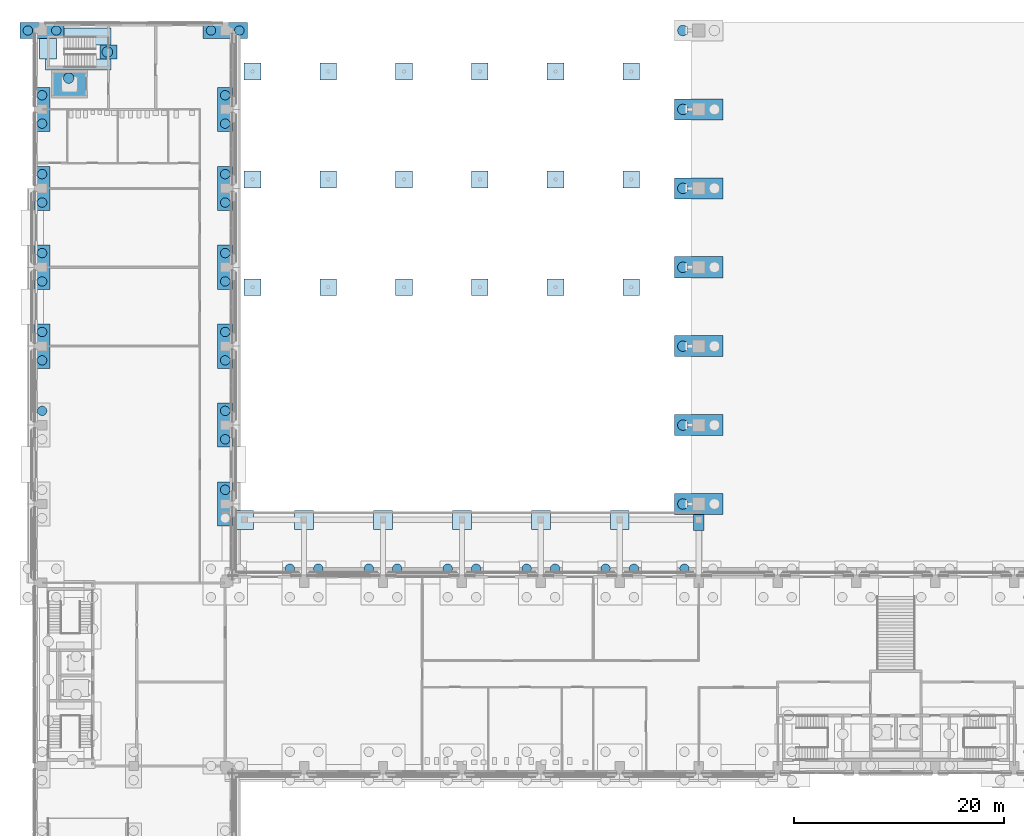
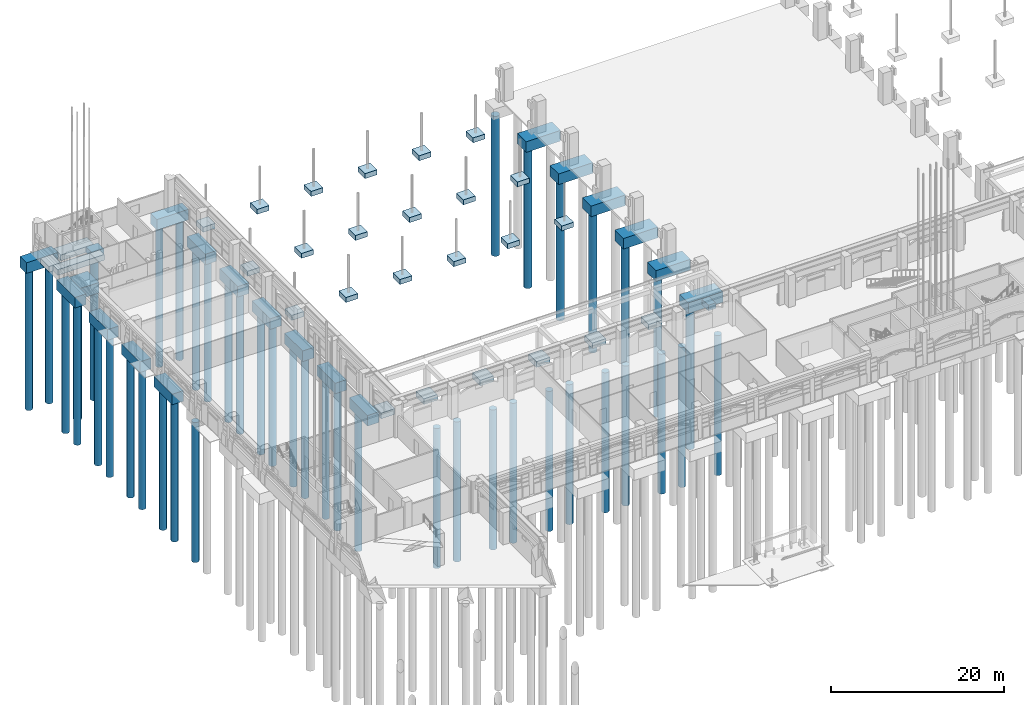
# One storey, part 3 of 99: 48 footings, 44 piles.
"""IFC4 building model written with IfcOpenShell, lengths in metres."""

from ifc_helpers import new_model, si_unit, direction, frame, origin, origin_2d, place, context, subcontext, project, spatial, polyline, circle, outline, extrude, material, layer, layer_set, material_profile, profile_set, type_object, element, save


model = new_model("IFC4")

# Units and contexts
model_context = context("Model", 3, precision=1e-05, world=origin(), true_north=direction((0.0, 1.0)))
body_context = subcontext(model_context, "Body", "Model", "MODEL_VIEW")
ifc_project = project(units=[si_unit("LENGTHUNIT", "METRE"), si_unit("AREAUNIT", "SQUARE_METRE"), si_unit("VOLUMEUNIT", "CUBIC_METRE"), si_unit("PLANEANGLEUNIT", "RADIAN"), si_unit("MASSUNIT", "GRAM", prefix="KILO")], contexts=[model_context])

# Site, building, storey
site_placement = place(None, origin())
site = spatial("IfcSite", under=ifc_project, at=site_placement, CompositionType="ELEMENT")
building_placement = place(site_placement, origin())
building = spatial("IfcBuilding", under=site, at=building_placement, Name="Cour d'Honneur Mobility Palace", CompositionType="ELEMENT")
storey_placement = place(building_placement, origin())
storey = spatial("IfcBuildingStorey", under=building, at=storey_placement, Name="L00", CompositionType="ELEMENT", Elevation=0.0)

# Footings
ifc_material_1 = material(Name="Concrete C50", Category="concrete")
ifc_layer_1 = layer(ifc_material_1, 0.800048828125)
ifc_layer_set_1 = layer_set([ifc_layer_1], Name="Concrete C50")
footing_type_1 = type_object("IfcFootingType", Name="Arcade pad footing 1000x800", PredefinedType="PAD_FOOTING", material=ifc_layer_set_1)
footing_1_placement = place(storey_placement, frame((0.0, 0.0, -1.10009765625)))
element("IfcFooting", 1, at=footing_1_placement, inside=storey, type_object=footing_type_1, Name="Arcade pad footing AF-W7", PredefinedType="PAD_FOOTING", context=body_context, shape_type="SweptSolid", body=[
    extrude(outline(polyline([(61.89990234375, 67.39990234375), (62.89990234375, 67.39990234375), (62.89990234375, 68.89990234375), (61.89990234375, 68.89990234375), (61.89990234375, 67.39990234375)])), origin(), (0.0, 0.0, 1.0), 0.800048828125),
])
ifc_material_2 = material(Name="Concrete C50", Category="concrete")
ifc_layer_2 = layer(ifc_material_2, 0.800048828125)
ifc_layer_set_2 = layer_set([ifc_layer_2], Name="Concrete C50")
footing_type_2 = type_object("IfcFootingType", Name="Arcade pad footing 1800x800", PredefinedType="PAD_FOOTING", material=ifc_layer_set_2)
footing_2_placement = place(storey_placement, frame((0.0, 0.0, -1.10009765625)))
element("IfcFooting", 2, at=footing_2_placement, inside=storey, type_object=footing_type_2, Name="Arcade pad footing AF-W1", PredefinedType="PAD_FOOTING", context=body_context, shape_type="SweptSolid", body=[
    extrude(outline(polyline([(18.300048828125, 67.5), (20.10009765625, 67.5), (20.10009765625, 69.300048828125), (18.300048828125, 69.300048828125), (18.300048828125, 67.5)])), origin(), (0.0, 0.0, 1.0), 0.800048828125),
])
footing_3_placement = place(storey_placement, frame((0.0, 0.0, -1.10009765625)))
element("IfcFooting", 3, at=footing_3_placement, inside=storey, type_object=footing_type_2, Name="Arcade pad footing AF-W2", PredefinedType="PAD_FOOTING", context=body_context, shape_type="SweptSolid", body=[
    extrude(outline(polyline([(24.0, 67.5), (25.800048828125, 67.5), (25.800048828125, 69.300048828125), (24.0, 69.300048828125), (24.0, 67.5)])), origin(), (0.0, 0.0, 1.0), 0.800048828125),
])
footing_4_placement = place(storey_placement, frame((0.0, 0.0, -1.10009765625)))
element("IfcFooting", 4, at=footing_4_placement, inside=storey, type_object=footing_type_2, Name="Arcade pad footing AF-W3", PredefinedType="PAD_FOOTING", context=body_context, shape_type="SweptSolid", body=[
    extrude(outline(polyline([(31.5, 67.5), (33.300048828125, 67.5), (33.300048828125, 69.300048828125), (31.5, 69.300048828125), (31.5, 67.5)])), origin(), (0.0, 0.0, 1.0), 0.800048828125),
])
footing_5_placement = place(storey_placement, frame((0.0, 0.0, -1.10009765625)))
element("IfcFooting", 5, at=footing_5_placement, inside=storey, type_object=footing_type_2, Name="Arcade pad footing AF-W4", PredefinedType="PAD_FOOTING", context=body_context, shape_type="SweptSolid", body=[
    extrude(outline(polyline([(39.0, 67.5), (40.800048828125, 67.5), (40.800048828125, 69.300048828125), (39.0, 69.300048828125), (39.0, 67.5)])), origin(), (0.0, 0.0, 1.0), 0.800048828125),
])
footing_6_placement = place(storey_placement, frame((0.0, 0.0, -1.10009765625)))
element("IfcFooting", 6, at=footing_6_placement, inside=storey, type_object=footing_type_2, Name="Arcade pad footing AF-W5", PredefinedType="PAD_FOOTING", context=body_context, shape_type="SweptSolid", body=[
    extrude(outline(polyline([(46.5, 67.5), (48.300048828125, 67.5), (48.300048828125, 69.300048828125), (46.5, 69.300048828125), (46.5, 67.5)])), origin(), (0.0, 0.0, 1.0), 0.800048828125),
])
footing_7_placement = place(storey_placement, frame((0.0, 0.0, -1.10009765625)))
element("IfcFooting", 7, at=footing_7_placement, inside=storey, type_object=footing_type_2, Name="Arcade pad footing AF-W6", PredefinedType="PAD_FOOTING", context=body_context, shape_type="SweptSolid", body=[
    extrude(outline(polyline([(54.0, 67.5), (55.800048828125, 67.5), (55.800048828125, 69.300048828125), (54.0, 69.300048828125), (54.0, 67.5)])), origin(), (0.0, 0.0, 1.0), 0.800048828125),
])

# Piles
ifc_material_3 = material(Name="Concrete C40", Category="concrete")
ifc_material_profile_1 = material_profile(ifc_material_3, circle(Radius=0.5, at=origin_2d()), Name="Bored pile D1000")
ifc_profile_set_1 = profile_set([ifc_material_profile_1], Name="Concrete C40")
pile_type_1 = type_object("IfcPileType", Name="Bored pile D1000", PredefinedType="BORED", material=ifc_profile_set_1)
pile_1_placement = place(storey_placement, frame((2.52490234375, 110.375, -3.300048828125), z_axis=(0.0, 0.0, -1.0), x_axis=(1.0, 0.0, 0.0)))
element("IfcPile", 8, at=pile_1_placement, inside=storey, type_object=pile_type_1, Name="Bored pile NW.L.1", PredefinedType="BORED", context=body_context, shape_type="SweptSolid", body=[
    extrude(circle(Radius=0.5, at=origin_2d()), origin(), (0.0, 0.0, 1.0), 18.199951171875),
])
for number, where, z_axis, x_axis, name in (
    (9, (60.89990234375, 69.89990234375, -1.75), (0.0, 0.0, -1.0), (1.0, 0.0, 0.0), "Bored pile P.62.4/69.9.1"),
    (10, (60.89990234375, 77.39990234375, -1.75), (0.0, 0.0, -1.0), (1.0, 0.0, 0.0), "Bored pile P.62.4/77.4.1"),
    (11, (60.89990234375, 84.89990234375, -1.75), (0.0, 0.0, -1.0), (1.0, 0.0, 0.0), "Bored pile P.62.4/84.9.1"),
    (12, (60.89990234375, 92.39990234375, -1.75), (0.0, 0.0, -1.0), (1.0, 0.0, 0.0), "Bored pile P.62.4/92.4.1"),
    (13, (60.89990234375, 99.89990234375, -1.75), (0.0, 0.0, -1.0), (1.0, 0.0, 0.0), "Bored pile P.62.4/99.9.1"),
    (14, (60.89990234375, 107.39990234375, -1.75), (0.0, 0.0, -1.0), (1.0, 0.0, 0.0), "Bored pile P.62.4/107.4.1"),
    (15, (60.89990234375, 114.89990234375, -1.75), (0.0, 0.0, -1.0), (1.0, 0.0, 0.0), "Bored pile P.62.4/114.9.1"),
):
    element("IfcPile", number, at=place(storey_placement, frame(where, z_axis=z_axis, x_axis=x_axis)), inside=storey, type_object=pile_type_1, Name=name, PredefinedType="BORED", context=body_context, shape_type="SweptSolid", body=[
        extrude(circle(Radius=0.5, at=origin_2d()), origin(), (0.0, 0.0, 1.0), 19.75),
    ])
pile_2_placement = place(storey_placement, frame((6.199951171875, 112.862548828125, -1.050048828125), z_axis=(0.0, 0.0, -1.0), x_axis=(1.0, 0.0, 0.0)))
element("IfcPile", 16, at=pile_2_placement, inside=storey, type_object=pile_type_1, Name="Bored pile S042.1", PredefinedType="BORED", context=body_context, shape_type="SweptSolid", body=[
    extrude(circle(Radius=0.5, at=origin_2d()), origin(), (0.0, 0.0, 1.0), 20.449951171875),
])
ifc_material_4 = material(Name="Concrete C40", Category="concrete")
ifc_material_profile_2 = material_profile(ifc_material_4, circle(Radius=0.449951171875, at=origin_2d()), Name="Bored pile D900")
ifc_profile_set_2 = profile_set([ifc_material_profile_2], Name="Concrete C40")
pile_type_2 = type_object("IfcPileType", Name="Bored pile D900", PredefinedType="BORED", material=ifc_profile_set_2)
for number, where, z_axis, x_axis, name in (
    (17, (23.550048828125, 63.75, -1.75), (0.0, 0.0, -1.0), (1.0, 0.0, 0.0), "Bored pile L00.3/H.3"),
    (18, (26.25, 63.75, -1.75), (0.0, 0.0, -1.0), (1.0, 0.0, 0.0), "Bored pile L00.3/H.4"),
    (19, (31.050048828125, 63.75, -1.75), (0.0, 0.0, -1.0), (1.0, 0.0, 0.0), "Bored pile L00.4/H.3"),
    (20, (33.75, 63.75, -1.75), (0.0, 0.0, -1.0), (1.0, 0.0, 0.0), "Bored pile L00.4/H.4"),
    (21, (38.550048828125, 63.75, -1.75), (0.0, 0.0, -1.0), (1.0, 0.0, 0.0), "Bored pile L00.5/H.3"),
    (22, (41.25, 63.75, -1.75), (0.0, 0.0, -1.0), (1.0, 0.0, 0.0), "Bored pile L00.5/H.4"),
    (23, (46.050048828125, 63.75, -1.75), (0.0, 0.0, -1.0), (1.0, 0.0, 0.0), "Bored pile L00.6/H.3"),
    (24, (48.75, 63.75, -1.75), (0.0, 0.0, -1.0), (1.0, 0.0, 0.0), "Bored pile L00.6/H.4"),
    (25, (53.550048828125, 63.75, -1.75), (0.0, 0.0, -1.0), (1.0, 0.0, 0.0), "Bored pile L00.7/H.3"),
    (26, (56.25, 63.75, -1.75), (0.0, 0.0, -1.0), (1.0, 0.0, 0.0), "Bored pile L00.7/H.4"),
    (27, (61.050048828125, 63.75, -1.75), (0.0, 0.0, -1.0), (1.0, 0.0, 0.0), "Bored pile L00.8/H.3"),
    (28, (17.39990234375, 71.25, -1.75), (0.0, 0.0, -1.0), (1.0, 0.0, 0.0), "Bored pile L00.2/J.2"),
    (29, (0.0, 78.75, -1.75), (0.0, 0.0, -1.0), (1.0, 0.0, 0.0), "Bored pile L00.1/K.2"),
    (30, (17.39990234375, 76.050048828125, -1.75), (0.0, 0.0, -1.0), (1.0, 0.0, 0.0), "Bored pile L00.2/K.1"),
    (31, (17.39990234375, 78.75, -1.75), (0.0, 0.0, -1.0), (1.0, 0.0, 0.0), "Bored pile L00.2/K.2"),
    (32, (0.0, 83.550048828125, -1.75), (0.0, 0.0, -1.0), (1.0, 0.0, 0.0), "Bored pile L00.1/L.1"),
    (33, (0.0, 86.25, -1.75), (0.0, 0.0, -1.0), (1.0, 0.0, 0.0), "Bored pile L00.1/L.2"),
    (34, (17.39990234375, 83.550048828125, -1.75), (0.0, 0.0, -1.0), (1.0, 0.0, 0.0), "Bored pile L00.2/L.1"),
    (35, (17.39990234375, 86.25, -1.75), (0.0, 0.0, -1.0), (1.0, 0.0, 0.0), "Bored pile L00.2/L.2"),
    (36, (0.0, 91.050048828125, -1.75), (0.0, 0.0, -1.0), (1.0, 0.0, 0.0), "Bored pile L00.1/M.1"),
    (37, (0.0, 93.75, -1.75), (0.0, 0.0, -1.0), (1.0, 0.0, 0.0), "Bored pile L00.1/M.2"),
    (38, (17.39990234375, 91.050048828125, -1.75), (0.0, 0.0, -1.0), (1.0, 0.0, 0.0), "Bored pile L00.2/M.1"),
    (39, (17.39990234375, 93.75, -1.75), (0.0, 0.0, -1.0), (1.0, 0.0, 0.0), "Bored pile L00.2/M.2"),
    (40, (0.0, 98.550048828125, -1.75), (0.0, 0.0, -1.0), (1.0, 0.0, 0.0), "Bored pile L00.1/N.1"),
    (41, (0.0, 101.25, -1.75), (0.0, 0.0, -1.0), (1.0, 0.0, 0.0), "Bored pile L00.1/N.2"),
    (42, (17.39990234375, 98.550048828125, -1.75), (0.0, 0.0, -1.0), (1.0, 0.0, 0.0), "Bored pile L00.2/N.1"),
    (43, (17.39990234375, 101.25, -1.75), (0.0, 0.0, -1.0), (1.0, 0.0, 0.0), "Bored pile L00.2/N.2"),
    (44, (0.0, 106.050048828125, -1.75), (0.0, 0.0, -1.0), (1.0, 0.0, 0.0), "Bored pile L00.1/P.1"),
    (45, (0.0, 108.75, -1.75), (0.0, 0.0, -1.0), (1.0, 0.0, 0.0), "Bored pile L00.1/P.2"),
    (46, (17.39990234375, 106.050048828125, -1.75), (0.0, 0.0, -1.0), (1.0, 0.0, 0.0), "Bored pile L00.2/P.1"),
    (47, (17.39990234375, 108.75, -1.75), (0.0, 0.0, -1.0), (1.0, 0.0, 0.0), "Bored pile L00.2/P.2"),
    (48, (-1.35009765625, 114.89990234375, -1.75), (0.0, 0.0, -1.0), (1.0, 0.0, 0.0), "Bored pile L00.1/Q.1"),
    (49, (1.35009765625, 114.89990234375, -1.75), (0.0, 0.0, -1.0), (1.0, 0.0, 0.0), "Bored pile L00.1/Q.2"),
    (50, (16.050048828125, 114.89990234375, -1.75), (0.0, 0.0, -1.0), (1.0, 0.0, 0.0), "Bored pile L00.2/Q.1"),
    (51, (18.75, 114.89990234375, -1.75), (0.0, 0.0, -1.0), (1.0, 0.0, 0.0), "Bored pile L00.2/Q.2"),
):
    element("IfcPile", number, at=place(storey_placement, frame(where, z_axis=z_axis, x_axis=x_axis)), inside=storey, type_object=pile_type_2, Name=name, PredefinedType="BORED", context=body_context, shape_type="SweptSolid", body=[
        extrude(circle(Radius=0.449951171875, at=origin_2d()), origin(), (0.0, 0.0, 1.0), 19.75),
    ])

# Footings
ifc_material_5 = material(Name="Concrete C40", Category="concrete")
ifc_layer_3 = layer(ifc_material_5, 0.699951171875)
ifc_layer_set_3 = layer_set([ifc_layer_3], Name="Concrete C40")
footing_type_3 = type_object("IfcFootingType", Name="Canopy pad footing 1600x700", PredefinedType="PAD_FOOTING", material=ifc_layer_set_3)
footing_8_placement = place(storey_placement, frame((0.0, 0.0, -1.0)))
element("IfcFooting", 52, at=footing_8_placement, inside=storey, type_object=footing_type_3, Name="Canopy pad footing FCF-W1.1", PredefinedType="PAD_FOOTING", context=body_context, shape_type="SweptSolid", body=[
    extrude(outline(polyline([(19.199951171875, 89.699951171875), (20.800048828125, 89.699951171875), (20.800048828125, 91.300048828125), (19.199951171875, 91.300048828125), (19.199951171875, 89.699951171875)])), origin(), (0.0, 0.0, 1.0), 0.699951171875),
])
footing_9_placement = place(storey_placement, frame((0.0, 0.0, -1.0)))
element("IfcFooting", 53, at=footing_9_placement, inside=storey, type_object=footing_type_3, Name="Canopy pad footing FCF-W1.2", PredefinedType="PAD_FOOTING", context=body_context, shape_type="SweptSolid", body=[
    extrude(outline(polyline([(26.39990234375, 89.699951171875), (28.0, 89.699951171875), (28.0, 91.300048828125), (26.39990234375, 91.300048828125), (26.39990234375, 89.699951171875)])), origin(), (0.0, 0.0, 1.0), 0.699951171875),
])
footing_10_placement = place(storey_placement, frame((0.0, 0.0, -1.0)))
element("IfcFooting", 54, at=footing_10_placement, inside=storey, type_object=footing_type_3, Name="Canopy pad footing FCF-W1.3", PredefinedType="PAD_FOOTING", context=body_context, shape_type="SweptSolid", body=[
    extrude(outline(polyline([(33.60009765625, 89.699951171875), (35.199951171875, 89.699951171875), (35.199951171875, 91.300048828125), (33.60009765625, 91.300048828125), (33.60009765625, 89.699951171875)])), origin(), (0.0, 0.0, 1.0), 0.699951171875),
])
footing_11_placement = place(storey_placement, frame((0.0, 0.0, -1.0)))
element("IfcFooting", 55, at=footing_11_placement, inside=storey, type_object=footing_type_3, Name="Canopy pad footing FCF-W1.4", PredefinedType="PAD_FOOTING", context=body_context, shape_type="SweptSolid", body=[
    extrude(outline(polyline([(40.800048828125, 89.699951171875), (42.39990234375, 89.699951171875), (42.39990234375, 91.300048828125), (40.800048828125, 91.300048828125), (40.800048828125, 89.699951171875)])), origin(), (0.0, 0.0, 1.0), 0.699951171875),
])
footing_12_placement = place(storey_placement, frame((0.0, 0.0, -1.0)))
element("IfcFooting", 56, at=footing_12_placement, inside=storey, type_object=footing_type_3, Name="Canopy pad footing FCF-W1.5", PredefinedType="PAD_FOOTING", context=body_context, shape_type="SweptSolid", body=[
    extrude(outline(polyline([(48.0, 89.699951171875), (49.60009765625, 89.699951171875), (49.60009765625, 91.300048828125), (48.0, 91.300048828125), (48.0, 89.699951171875)])), origin(), (0.0, 0.0, 1.0), 0.699951171875),
])
footing_13_placement = place(storey_placement, frame((0.0, 0.0, -1.0)))
element("IfcFooting", 57, at=footing_13_placement, inside=storey, type_object=footing_type_3, Name="Canopy pad footing FCF-W1.6", PredefinedType="PAD_FOOTING", context=body_context, shape_type="SweptSolid", body=[
    extrude(outline(polyline([(55.199951171875, 89.699951171875), (56.800048828125, 89.699951171875), (56.800048828125, 91.300048828125), (55.199951171875, 91.300048828125), (55.199951171875, 89.699951171875)])), origin(), (0.0, 0.0, 1.0), 0.699951171875),
])
footing_14_placement = place(storey_placement, frame((0.0, 0.0, -1.0)))
element("IfcFooting", 58, at=footing_14_placement, inside=storey, type_object=footing_type_3, Name="Canopy pad footing FCF-W2.1", PredefinedType="PAD_FOOTING", context=body_context, shape_type="SweptSolid", body=[
    extrude(outline(polyline([(19.199951171875, 99.949951171875), (20.800048828125, 99.949951171875), (20.800048828125, 101.550048828125), (19.199951171875, 101.550048828125), (19.199951171875, 99.949951171875)])), origin(), (0.0, 0.0, 1.0), 0.699951171875),
])
footing_15_placement = place(storey_placement, frame((0.0, 0.0, -1.0)))
element("IfcFooting", 59, at=footing_15_placement, inside=storey, type_object=footing_type_3, Name="Canopy pad footing FCF-W2.2", PredefinedType="PAD_FOOTING", context=body_context, shape_type="SweptSolid", body=[
    extrude(outline(polyline([(26.39990234375, 99.949951171875), (28.0, 99.949951171875), (28.0, 101.550048828125), (26.39990234375, 101.550048828125), (26.39990234375, 99.949951171875)])), origin(), (0.0, 0.0, 1.0), 0.699951171875),
])
footing_16_placement = place(storey_placement, frame((0.0, 0.0, -1.0)))
element("IfcFooting", 60, at=footing_16_placement, inside=storey, type_object=footing_type_3, Name="Canopy pad footing FCF-W2.3", PredefinedType="PAD_FOOTING", context=body_context, shape_type="SweptSolid", body=[
    extrude(outline(polyline([(33.60009765625, 99.949951171875), (35.199951171875, 99.949951171875), (35.199951171875, 101.550048828125), (33.60009765625, 101.550048828125), (33.60009765625, 99.949951171875)])), origin(), (0.0, 0.0, 1.0), 0.699951171875),
])
footing_17_placement = place(storey_placement, frame((0.0, 0.0, -1.0)))
element("IfcFooting", 61, at=footing_17_placement, inside=storey, type_object=footing_type_3, Name="Canopy pad footing FCF-W2.4", PredefinedType="PAD_FOOTING", context=body_context, shape_type="SweptSolid", body=[
    extrude(outline(polyline([(40.800048828125, 99.949951171875), (42.39990234375, 99.949951171875), (42.39990234375, 101.550048828125), (40.800048828125, 101.550048828125), (40.800048828125, 99.949951171875)])), origin(), (0.0, 0.0, 1.0), 0.699951171875),
])
footing_18_placement = place(storey_placement, frame((0.0, 0.0, -1.0)))
element("IfcFooting", 62, at=footing_18_placement, inside=storey, type_object=footing_type_3, Name="Canopy pad footing FCF-W2.5", PredefinedType="PAD_FOOTING", context=body_context, shape_type="SweptSolid", body=[
    extrude(outline(polyline([(48.0, 99.949951171875), (49.60009765625, 99.949951171875), (49.60009765625, 101.550048828125), (48.0, 101.550048828125), (48.0, 99.949951171875)])), origin(), (0.0, 0.0, 1.0), 0.699951171875),
])
footing_19_placement = place(storey_placement, frame((0.0, 0.0, -1.0)))
element("IfcFooting", 63, at=footing_19_placement, inside=storey, type_object=footing_type_3, Name="Canopy pad footing FCF-W2.6", PredefinedType="PAD_FOOTING", context=body_context, shape_type="SweptSolid", body=[
    extrude(outline(polyline([(55.199951171875, 99.949951171875), (56.800048828125, 99.949951171875), (56.800048828125, 101.550048828125), (55.199951171875, 101.550048828125), (55.199951171875, 99.949951171875)])), origin(), (0.0, 0.0, 1.0), 0.699951171875),
])
footing_20_placement = place(storey_placement, frame((0.0, 0.0, -1.0)))
element("IfcFooting", 64, at=footing_20_placement, inside=storey, type_object=footing_type_3, Name="Canopy pad footing FCF-W3.1", PredefinedType="PAD_FOOTING", context=body_context, shape_type="SweptSolid", body=[
    extrude(outline(polyline([(19.199951171875, 110.199951171875), (20.800048828125, 110.199951171875), (20.800048828125, 111.800048828125), (19.199951171875, 111.800048828125), (19.199951171875, 110.199951171875)])), origin(), (0.0, 0.0, 1.0), 0.699951171875),
])
footing_21_placement = place(storey_placement, frame((0.0, 0.0, -1.0)))
element("IfcFooting", 65, at=footing_21_placement, inside=storey, type_object=footing_type_3, Name="Canopy pad footing FCF-W3.2", PredefinedType="PAD_FOOTING", context=body_context, shape_type="SweptSolid", body=[
    extrude(outline(polyline([(26.39990234375, 110.199951171875), (28.0, 110.199951171875), (28.0, 111.800048828125), (26.39990234375, 111.800048828125), (26.39990234375, 110.199951171875)])), origin(), (0.0, 0.0, 1.0), 0.699951171875),
])
footing_22_placement = place(storey_placement, frame((0.0, 0.0, -1.0)))
element("IfcFooting", 66, at=footing_22_placement, inside=storey, type_object=footing_type_3, Name="Canopy pad footing FCF-W3.3", PredefinedType="PAD_FOOTING", context=body_context, shape_type="SweptSolid", body=[
    extrude(outline(polyline([(33.60009765625, 110.199951171875), (35.199951171875, 110.199951171875), (35.199951171875, 111.800048828125), (33.60009765625, 111.800048828125), (33.60009765625, 110.199951171875)])), origin(), (0.0, 0.0, 1.0), 0.699951171875),
])
footing_23_placement = place(storey_placement, frame((0.0, 0.0, -1.0)))
element("IfcFooting", 67, at=footing_23_placement, inside=storey, type_object=footing_type_3, Name="Canopy pad footing FCF-W3.4", PredefinedType="PAD_FOOTING", context=body_context, shape_type="SweptSolid", body=[
    extrude(outline(polyline([(40.800048828125, 110.199951171875), (42.39990234375, 110.199951171875), (42.39990234375, 111.800048828125), (40.800048828125, 111.800048828125), (40.800048828125, 110.199951171875)])), origin(), (0.0, 0.0, 1.0), 0.699951171875),
])
footing_24_placement = place(storey_placement, frame((0.0, 0.0, -1.0)))
element("IfcFooting", 68, at=footing_24_placement, inside=storey, type_object=footing_type_3, Name="Canopy pad footing FCF-W3.5", PredefinedType="PAD_FOOTING", context=body_context, shape_type="SweptSolid", body=[
    extrude(outline(polyline([(48.0, 110.199951171875), (49.60009765625, 110.199951171875), (49.60009765625, 111.800048828125), (48.0, 111.800048828125), (48.0, 110.199951171875)])), origin(), (0.0, 0.0, 1.0), 0.699951171875),
])
footing_25_placement = place(storey_placement, frame((0.0, 0.0, -1.0)))
element("IfcFooting", 69, at=footing_25_placement, inside=storey, type_object=footing_type_3, Name="Canopy pad footing FCF-W3.6", PredefinedType="PAD_FOOTING", context=body_context, shape_type="SweptSolid", body=[
    extrude(outline(polyline([(55.199951171875, 110.199951171875), (56.800048828125, 110.199951171875), (56.800048828125, 111.800048828125), (55.199951171875, 111.800048828125), (55.199951171875, 110.199951171875)])), origin(), (0.0, 0.0, 1.0), 0.699951171875),
])
ifc_material_6 = material(Name="Concrete C40", Category="concrete")
ifc_layer_4 = layer(ifc_material_6, 1.5)
ifc_layer_set_4 = layer_set([ifc_layer_4], Name="Concrete C40")
footing_type_4 = type_object("IfcFootingType", Name="Pile cap PC2 4200x1500", PredefinedType="PILE_CAP", material=ifc_layer_set_4)
footing_26_placement = place(storey_placement, frame((0.0, 0.0, -1.75)))
element("IfcFooting", 70, at=footing_26_placement, inside=storey, type_object=footing_type_4, Name="Pile cap PC2-2/J", PredefinedType="PILE_CAP", context=body_context, shape_type="SweptSolid", body=[
    extrude(outline(polyline([(16.64990234375, 67.800048828125), (18.14990234375, 67.800048828125), (18.14990234375, 72.0), (16.64990234375, 72.0), (16.64990234375, 67.800048828125)])), origin(), (0.0, 0.0, 1.0), 1.5),
])
footing_27_placement = place(storey_placement, frame((0.0, 0.0, -1.75)))
element("IfcFooting", 71, at=footing_27_placement, inside=storey, type_object=footing_type_4, Name="Pile cap PC2-2/K", PredefinedType="PILE_CAP", context=body_context, shape_type="SweptSolid", body=[
    extrude(outline(polyline([(16.64990234375, 75.300048828125), (18.14990234375, 75.300048828125), (18.14990234375, 79.5), (16.64990234375, 79.5), (16.64990234375, 75.300048828125)])), origin(), (0.0, 0.0, 1.0), 1.5),
])
footing_28_placement = place(storey_placement, frame((0.0, 0.0, -1.75)))
element("IfcFooting", 72, at=footing_28_placement, inside=storey, type_object=footing_type_4, Name="Pile cap PC2-1/L", PredefinedType="PILE_CAP", context=body_context, shape_type="SweptSolid", body=[
    extrude(outline(polyline([(-0.75, 82.800048828125), (0.75, 82.800048828125), (0.75, 87.0), (-0.75, 87.0), (-0.75, 82.800048828125)])), origin(), (0.0, 0.0, 1.0), 1.5),
])
footing_29_placement = place(storey_placement, frame((0.0, 0.0, -1.75)))
element("IfcFooting", 73, at=footing_29_placement, inside=storey, type_object=footing_type_4, Name="Pile cap PC2-2/L", PredefinedType="PILE_CAP", context=body_context, shape_type="SweptSolid", body=[
    extrude(outline(polyline([(16.64990234375, 82.800048828125), (18.14990234375, 82.800048828125), (18.14990234375, 87.0), (16.64990234375, 87.0), (16.64990234375, 82.800048828125)])), origin(), (0.0, 0.0, 1.0), 1.5),
])
footing_30_placement = place(storey_placement, frame((0.0, 0.0, -1.75)))
element("IfcFooting", 74, at=footing_30_placement, inside=storey, type_object=footing_type_4, Name="Pile cap PC2-1/M", PredefinedType="PILE_CAP", context=body_context, shape_type="SweptSolid", body=[
    extrude(outline(polyline([(-0.75, 90.300048828125), (0.75, 90.300048828125), (0.75, 94.5), (-0.75, 94.5), (-0.75, 90.300048828125)])), origin(), (0.0, 0.0, 1.0), 1.5),
])
footing_31_placement = place(storey_placement, frame((0.0, 0.0, -1.75)))
element("IfcFooting", 75, at=footing_31_placement, inside=storey, type_object=footing_type_4, Name="Pile cap PC2-2/M", PredefinedType="PILE_CAP", context=body_context, shape_type="SweptSolid", body=[
    extrude(outline(polyline([(16.64990234375, 90.300048828125), (18.14990234375, 90.300048828125), (18.14990234375, 94.5), (16.64990234375, 94.5), (16.64990234375, 90.300048828125)])), origin(), (0.0, 0.0, 1.0), 1.5),
])
footing_32_placement = place(storey_placement, frame((0.0, 0.0, -1.75)))
element("IfcFooting", 76, at=footing_32_placement, inside=storey, type_object=footing_type_4, Name="Pile cap PC2-1/N", PredefinedType="PILE_CAP", context=body_context, shape_type="SweptSolid", body=[
    extrude(outline(polyline([(-0.75, 97.800048828125), (0.75, 97.800048828125), (0.75, 102.0), (-0.75, 102.0), (-0.75, 97.800048828125)])), origin(), (0.0, 0.0, 1.0), 1.5),
])
footing_33_placement = place(storey_placement, frame((0.0, 0.0, -1.75)))
element("IfcFooting", 77, at=footing_33_placement, inside=storey, type_object=footing_type_4, Name="Pile cap PC2-2/N", PredefinedType="PILE_CAP", context=body_context, shape_type="SweptSolid", body=[
    extrude(outline(polyline([(16.64990234375, 97.800048828125), (18.14990234375, 97.800048828125), (18.14990234375, 102.0), (16.64990234375, 102.0), (16.64990234375, 97.800048828125)])), origin(), (0.0, 0.0, 1.0), 1.5),
])
footing_34_placement = place(storey_placement, frame((0.0, 0.0, -1.75)))
element("IfcFooting", 78, at=footing_34_placement, inside=storey, type_object=footing_type_4, Name="Pile cap PC2-1/P", PredefinedType="PILE_CAP", context=body_context, shape_type="SweptSolid", body=[
    extrude(outline(polyline([(-0.75, 105.300048828125), (0.75, 105.300048828125), (0.75, 109.5), (-0.75, 109.5), (-0.75, 105.300048828125)])), origin(), (0.0, 0.0, 1.0), 1.5),
])
footing_35_placement = place(storey_placement, frame((0.0, 0.0, -1.75)))
element("IfcFooting", 79, at=footing_35_placement, inside=storey, type_object=footing_type_4, Name="Pile cap PC2-2/P", PredefinedType="PILE_CAP", context=body_context, shape_type="SweptSolid", body=[
    extrude(outline(polyline([(16.64990234375, 105.300048828125), (18.14990234375, 105.300048828125), (18.14990234375, 109.5), (16.64990234375, 109.5), (16.64990234375, 105.300048828125)])), origin(), (0.0, 0.0, 1.0), 1.5),
])
footing_36_placement = place(storey_placement, frame((0.0, 0.0, -1.75)))
element("IfcFooting", 80, at=footing_36_placement, inside=storey, type_object=footing_type_4, Name="Pile cap PC2-1/Q", PredefinedType="PILE_CAP", context=body_context, shape_type="SweptSolid", body=[
    extrude(outline(polyline([(-2.10009765625, 114.14990234375), (2.10009765625, 114.14990234375), (2.10009765625, 115.64990234375), (-2.10009765625, 115.64990234375), (-2.10009765625, 114.14990234375)])), origin(), (0.0, 0.0, 1.0), 1.5),
])
footing_37_placement = place(storey_placement, frame((0.0, 0.0, -1.75)))
element("IfcFooting", 81, at=footing_37_placement, inside=storey, type_object=footing_type_4, Name="Pile cap PC2-2/Q", PredefinedType="PILE_CAP", context=body_context, shape_type="SweptSolid", body=[
    extrude(outline(polyline([(15.300048828125, 114.14990234375), (19.5, 114.14990234375), (19.5, 115.64990234375), (15.300048828125, 115.64990234375), (15.300048828125, 114.14990234375)])), origin(), (0.0, 0.0, 1.0), 1.5),
])
ifc_material_7 = material(Name="Concrete C40", Category="concrete")
ifc_layer_5 = layer(ifc_material_7, 1.5)
ifc_layer_set_5 = layer_set([ifc_layer_5], Name="Concrete C40")
footing_type_5 = type_object("IfcFootingType", Name="Pile cap PCP 4600x2000", PredefinedType="PILE_CAP", material=ifc_layer_set_5)
footing_38_placement = place(storey_placement, frame((0.0, 0.0, -1.75)))
element("IfcFooting", 82, at=footing_38_placement, inside=storey, type_object=footing_type_5, Name="Pile cap PCP-62.4/69.9", PredefinedType="PILE_CAP", context=body_context, shape_type="SweptSolid", body=[
    extrude(outline(polyline([(60.10009765625, 68.89990234375), (64.699951171875, 68.89990234375), (64.699951171875, 70.89990234375), (60.10009765625, 70.89990234375), (60.10009765625, 68.89990234375)])), origin(), (0.0, 0.0, 1.0), 1.5),
])
footing_39_placement = place(storey_placement, frame((0.0, 0.0, -1.75)))
element("IfcFooting", 83, at=footing_39_placement, inside=storey, type_object=footing_type_5, Name="Pile cap PCP-62.4/77.4", PredefinedType="PILE_CAP", context=body_context, shape_type="SweptSolid", body=[
    extrude(outline(polyline([(60.10009765625, 76.39990234375), (64.699951171875, 76.39990234375), (64.699951171875, 78.39990234375), (60.10009765625, 78.39990234375), (60.10009765625, 76.39990234375)])), origin(), (0.0, 0.0, 1.0), 1.5),
])
footing_40_placement = place(storey_placement, frame((0.0, 0.0, -1.75)))
element("IfcFooting", 84, at=footing_40_placement, inside=storey, type_object=footing_type_5, Name="Pile cap PCP-62.4/84.9", PredefinedType="PILE_CAP", context=body_context, shape_type="SweptSolid", body=[
    extrude(outline(polyline([(60.10009765625, 83.89990234375), (64.699951171875, 83.89990234375), (64.699951171875, 85.89990234375), (60.10009765625, 85.89990234375), (60.10009765625, 83.89990234375)])), origin(), (0.0, 0.0, 1.0), 1.5),
])
footing_41_placement = place(storey_placement, frame((0.0, 0.0, -1.75)))
element("IfcFooting", 85, at=footing_41_placement, inside=storey, type_object=footing_type_5, Name="Pile cap PCP-62.4/92.4", PredefinedType="PILE_CAP", context=body_context, shape_type="SweptSolid", body=[
    extrude(outline(polyline([(60.10009765625, 91.39990234375), (64.699951171875, 91.39990234375), (64.699951171875, 93.39990234375), (60.10009765625, 93.39990234375), (60.10009765625, 91.39990234375)])), origin(), (0.0, 0.0, 1.0), 1.5),
])
footing_42_placement = place(storey_placement, frame((0.0, 0.0, -1.75)))
element("IfcFooting", 86, at=footing_42_placement, inside=storey, type_object=footing_type_5, Name="Pile cap PCP-62.4/99.9", PredefinedType="PILE_CAP", context=body_context, shape_type="SweptSolid", body=[
    extrude(outline(polyline([(60.10009765625, 98.89990234375), (64.699951171875, 98.89990234375), (64.699951171875, 100.89990234375), (60.10009765625, 100.89990234375), (60.10009765625, 98.89990234375)])), origin(), (0.0, 0.0, 1.0), 1.5),
])
footing_43_placement = place(storey_placement, frame((0.0, 0.0, -1.75)))
element("IfcFooting", 87, at=footing_43_placement, inside=storey, type_object=footing_type_5, Name="Pile cap PCP-62.4/107.4", PredefinedType="PILE_CAP", context=body_context, shape_type="SweptSolid", body=[
    extrude(outline(polyline([(60.10009765625, 106.39990234375), (64.699951171875, 106.39990234375), (64.699951171875, 108.39990234375), (60.10009765625, 108.39990234375), (60.10009765625, 106.39990234375)])), origin(), (0.0, 0.0, 1.0), 1.5),
])
ifc_material_8 = material(Name="Concrete C40", Category="concrete")
ifc_layer_6 = layer(ifc_material_8, 1.5)
ifc_layer_set_6 = layer_set([ifc_layer_6], Name="Concrete C40")
footing_type_6 = type_object("IfcFootingType", Name="Pit cap 3450x2650", PredefinedType="PILE_CAP", material=ifc_layer_set_6)
footing_44_placement = place(storey_placement, frame((0.0, 0.0, -3.300048828125)))
element("IfcFooting", 88, at=footing_44_placement, inside=storey, type_object=footing_type_6, Name="Pile cap PCL-NW.L", PredefinedType="PILE_CAP", context=body_context, shape_type="SweptSolid", body=[
    extrude(outline(polyline([(0.875, 108.47509765625), (4.324951171875, 108.47509765625), (4.324951171875, 111.125), (0.875, 111.125), (0.875, 108.47509765625)])), origin(), (0.0, 0.0, 1.0), 1.5),
])
ifc_material_9 = material(Name="Concrete C40", Category="concrete")
ifc_layer_7 = layer(ifc_material_9, 0.800048828125)
ifc_layer_set_7 = layer_set([ifc_layer_7], Name="Concrete C40")
footing_type_7 = type_object("IfcFootingType", Name="Strip footing 1075x800", PredefinedType="STRIP_FOOTING", material=ifc_layer_set_7)
footing_45_placement = place(storey_placement, frame((0.0, 0.0, -1.050048828125)))
element("IfcFooting", 89, at=footing_45_placement, inside=storey, type_object=footing_type_7, Name="Strip footing SF-039", PredefinedType="STRIP_FOOTING", context=body_context, shape_type="SweptSolid", body=[
    extrude(outline(polyline([(0.324951171875, 111.125), (6.550048828125, 111.125), (6.550048828125, 112.199951171875), (0.324951171875, 112.199951171875), (0.324951171875, 111.125)])), origin(), (0.0, 0.0, 1.0), 0.800048828125),
])
ifc_material_10 = material(Name="Concrete C40", Category="concrete")
ifc_layer_8 = layer(ifc_material_10, 0.800048828125)
ifc_layer_set_8 = layer_set([ifc_layer_8], Name="Concrete C40")
footing_type_8 = type_object("IfcFootingType", Name="Strip footing 1325x800", PredefinedType="STRIP_FOOTING", material=ifc_layer_set_8)
footing_46_placement = place(storey_placement, frame((0.0, 0.0, -1.050048828125)))
element("IfcFooting", 90, at=footing_46_placement, inside=storey, type_object=footing_type_8, Name="Strip footing SF-042", PredefinedType="STRIP_FOOTING", context=body_context, shape_type="SweptSolid", body=[
    extrude(outline(polyline([(5.5, 112.199951171875), (7.10009765625, 112.199951171875), (7.10009765625, 113.52490234375), (5.5, 113.52490234375), (5.5, 112.199951171875)])), origin(), (0.0, 0.0, 1.0), 0.800048828125),
])
ifc_material_11 = material(Name="Concrete C40", Category="concrete")
ifc_layer_9 = layer(ifc_material_11, 0.800048828125)
ifc_layer_set_9 = layer_set([ifc_layer_9], Name="Concrete C40")
footing_type_9 = type_object("IfcFootingType", Name="Strip footing 1600x800", PredefinedType="STRIP_FOOTING", material=ifc_layer_set_9)
footing_47_placement = place(storey_placement, frame((0.0, 0.0, -1.050048828125)))
element("IfcFooting", 91, at=footing_47_placement, inside=storey, type_object=footing_type_9, Name="Strip footing SF-041", PredefinedType="STRIP_FOOTING", context=body_context, shape_type="SweptSolid", body=[
    extrude(outline(polyline([(-0.22509765625, 112.199951171875), (1.375, 112.199951171875), (1.375, 114.14990234375), (-0.22509765625, 114.14990234375), (-0.22509765625, 112.199951171875)])), origin(), (0.0, 0.0, 1.0), 0.800048828125),
])
footing_48_placement = place(storey_placement, frame((0.0, 0.0, -1.050048828125)))
element("IfcFooting", 92, at=footing_48_placement, inside=storey, type_object=footing_type_9, Name="Strip footing SF-045", PredefinedType="STRIP_FOOTING", context=body_context, shape_type="SweptSolid", body=[
    extrude(outline(polyline([(2.10009765625, 113.52490234375), (6.550048828125, 113.52490234375), (6.550048828125, 115.125), (2.10009765625, 115.125), (2.10009765625, 113.52490234375)])), origin(), (0.0, 0.0, 1.0), 0.800048828125),
])

save(model, "model.ifc")
